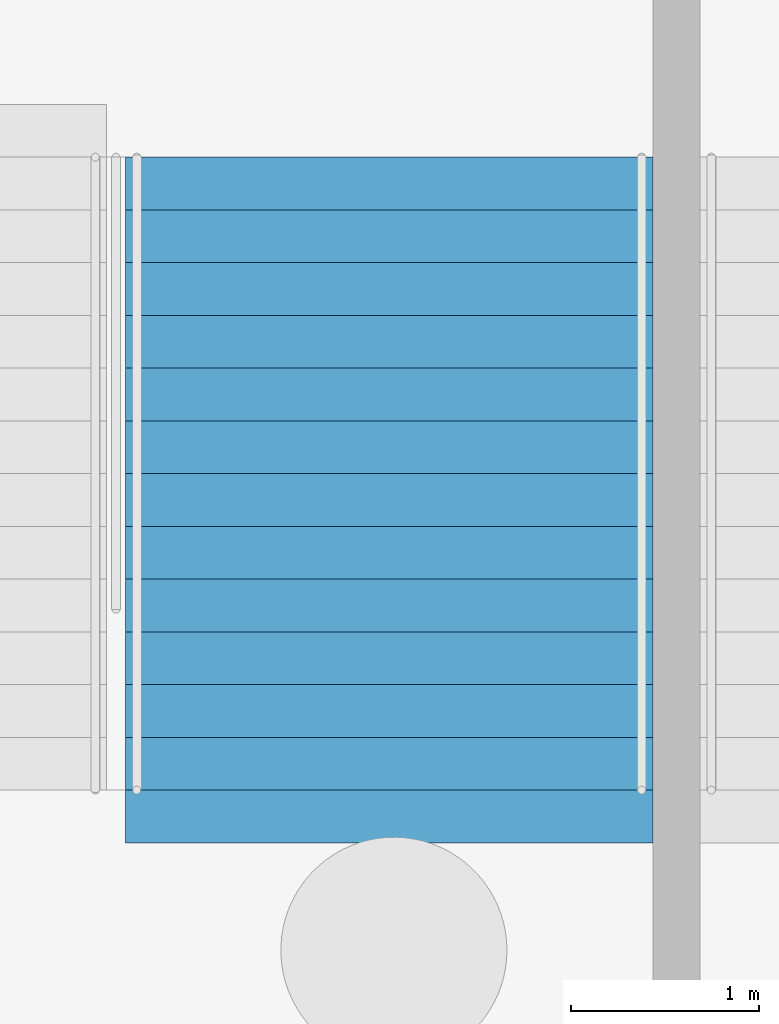
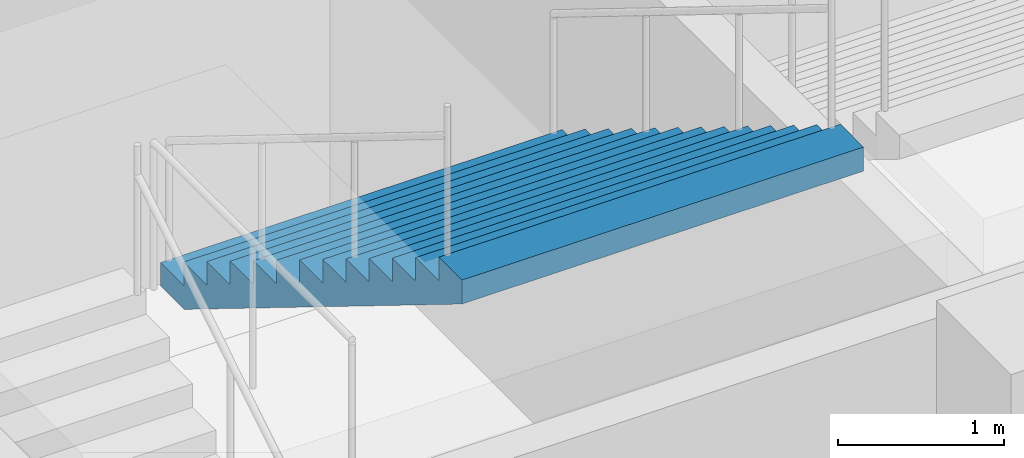
# One storey, part 103 of 115: 1 stair flight, 1 element without a shape of its own.
"""IFC4 building model written with IfcOpenShell, lengths in metres."""

from ifc_helpers import new_model, si_unit, direction, frame, origin, place, context, subcontext, project, spatial, faceted_brep, material, type_object, element, aggregate, save


model = new_model("IFC4")

# Units and contexts
model_context = context("Model", 3, precision=1e-05, world=origin(), true_north=direction((0.0, 1.0)))
body_context = subcontext(model_context, "Body", "Model", "MODEL_VIEW")
ifc_project = project(units=[si_unit("LENGTHUNIT", "METRE"), si_unit("AREAUNIT", "SQUARE_METRE"), si_unit("VOLUMEUNIT", "CUBIC_METRE"), si_unit("PLANEANGLEUNIT", "RADIAN"), si_unit("MASSUNIT", "GRAM", prefix="KILO")], contexts=[model_context])

# Site, building, storey
site_placement = place(None, origin())
site = spatial("IfcSite", under=ifc_project, at=site_placement, CompositionType="ELEMENT")
building_placement = place(site_placement, origin())
building = spatial("IfcBuilding", under=site, at=building_placement, Name="Ogive Plaza Stadium", CompositionType="ELEMENT")
storey_placement = place(building_placement, frame((0.0, 0.0, -4.5)))
storey = spatial("IfcBuildingStorey", under=building, at=storey_placement, Name="B1", CompositionType="ELEMENT", Elevation=-4.5)

# Stair, stair flight
ifc_material_1 = material(Name="Concrete C40/50", Category="concrete")
stair_type = type_object("IfcStairType", Name="Exit stair", PredefinedType="STRAIGHT_RUN_STAIR", material=ifc_material_1)
stair_placement = place(storey_placement, origin())
stair = element("IfcStair", 1, at=stair_placement, inside=storey, type_object=stair_type, Name="Exit stair ST36B B1 to L00", PredefinedType="STRAIGHT_RUN_STAIR")
ifc_material_2 = material(Name="Concrete C40/50", Category="concrete")
stair_flight_type = type_object("IfcStairFlightType", Name="Exit stair flight", PredefinedType="STRAIGHT", material=ifc_material_2)
stair_flight_placement = place(storey_placement, frame((18.875, 98.2099609375, 2.25), z_axis=(0.0, 0.0, 1.0), x_axis=(0.0, -1.0, 0.0)))
stair_flight = element("IfcStairFlight", 2, at=stair_flight_placement, type_object=stair_flight_type, Name="ST36B flight 2", NumberOfRisers=13, NumberOfTreads=12, PredefinedType="STRAIGHT", RiserHeight=0.173076923, TreadLength=0.28, context=body_context, shape_type="Brep", body=[
    faceted_brep([(0.28515625, -1.39990234375, 0.0), (3.639892578125, -1.39990234375, 2.07373046875), (3.639892578125, -1.39990234375, 2.25), (3.360107421875, -1.39990234375, 2.25), (3.360107421875, -1.39990234375, 2.076904296875), (3.080078125, -1.39990234375, 2.076904296875), (3.080078125, -1.39990234375, 1.90380859375), (2.800048828125, -1.39990234375, 1.90380859375), (2.800048828125, -1.39990234375, 1.730712890625), (2.52001953125, -1.39990234375, 1.730712890625), (2.52001953125, -1.39990234375, 1.5576171875), (2.239990234375, -1.39990234375, 1.5576171875), (2.239990234375, -1.39990234375, 1.384521484375), (1.9599609375, -1.39990234375, 1.384521484375), (1.9599609375, -1.39990234375, 1.21142578125), (1.679931640625, -1.39990234375, 1.21142578125), (1.679931640625, -1.39990234375, 1.03857421875), (1.39990234375, -1.39990234375, 1.03857421875), (1.39990234375, -1.39990234375, 0.865478515625), (1.1201171875, -1.39990234375, 0.865478515625), (1.1201171875, -1.39990234375, 0.6923828125), (0.840087890625, -1.39990234375, 0.6923828125), (0.840087890625, -1.39990234375, 0.519287109375), (0.56005859375, -1.39990234375, 0.519287109375), (0.56005859375, -1.39990234375, 0.34619140625), (0.280029296875, -1.39990234375, 0.34619140625), (0.280029296875, -1.39990234375, 0.173095703125), (0.0, -1.39990234375, 0.173095703125), (0.0, -1.39990234375, 0.0), (0.0, 1.39990234375, 0.0), (0.0, 1.39990234375, 0.173095703125), (0.280029296875, 1.39990234375, 0.173095703125), (0.280029296875, 1.39990234375, 0.34619140625), (0.56005859375, 1.39990234375, 0.34619140625), (0.56005859375, 1.39990234375, 0.519287109375), (0.840087890625, 1.39990234375, 0.519287109375), (0.840087890625, 1.39990234375, 0.6923828125), (1.1201171875, 1.39990234375, 0.6923828125), (1.1201171875, 1.39990234375, 0.865478515625), (1.39990234375, 1.39990234375, 0.865478515625), (1.39990234375, 1.39990234375, 1.03857421875), (1.679931640625, 1.39990234375, 1.03857421875), (1.679931640625, 1.39990234375, 1.21142578125), (1.9599609375, 1.39990234375, 1.21142578125), (1.9599609375, 1.39990234375, 1.384521484375), (2.239990234375, 1.39990234375, 1.384521484375), (2.239990234375, 1.39990234375, 1.5576171875), (2.52001953125, 1.39990234375, 1.5576171875), (2.52001953125, 1.39990234375, 1.730712890625), (2.800048828125, 1.39990234375, 1.730712890625), (2.800048828125, 1.39990234375, 1.90380859375), (3.080078125, 1.39990234375, 1.90380859375), (3.080078125, 1.39990234375, 2.076904296875), (3.360107421875, 1.39990234375, 2.076904296875), (3.360107421875, 1.39990234375, 2.25), (3.639892578125, 1.39990234375, 2.25), (3.639892578125, 1.39990234375, 2.07373046875), (0.28515625, 1.39990234375, 0.0), (0.28515625, -1.0888671875, 0.0), (3.639892578125, -1.0888671875, 2.07373046875), (0.28515625, -0.77783203125, 0.0), (3.639892578125, -0.77783203125, 2.07373046875), (0.28515625, -0.466796875, 0.0), (3.639892578125, -0.466796875, 2.07373046875), (0.28515625, -0.155517578125, 0.0), (3.639892578125, -0.155517578125, 2.07373046875), (0.28515625, 0.155517578125, 0.0), (3.639892578125, 0.155517578125, 2.07373046875), (0.28515625, 0.466796875, 0.0), (3.639892578125, 0.466796875, 2.07373046875), (0.28515625, 0.77783203125, 0.0), (3.639892578125, 0.77783203125, 2.07373046875), (0.28515625, 1.0888671875, 0.0), (3.639892578125, 1.0888671875, 2.07373046875), (3.639892578125, -1.0888671875, 2.25), (3.639892578125, -0.77783203125, 2.25), (3.639892578125, -0.466796875, 2.25), (3.639892578125, -0.155517578125, 2.25), (3.639892578125, 0.155517578125, 2.25), (3.639892578125, 0.466796875, 2.25), (3.639892578125, 0.77783203125, 2.25), (3.639892578125, 1.0888671875, 2.25), (3.360107421875, -1.0888671875, 2.25), (3.360107421875, -0.77783203125, 2.25), (3.360107421875, -0.466796875, 2.25), (3.360107421875, -0.155517578125, 2.25), (3.360107421875, 0.155517578125, 2.25), (3.360107421875, 0.466796875, 2.25), (3.360107421875, 0.77783203125, 2.25), (3.360107421875, 1.0888671875, 2.25), (3.360107421875, -1.0888671875, 2.076904296875), (3.360107421875, -0.77783203125, 2.076904296875), (3.360107421875, -0.466796875, 2.076904296875), (3.360107421875, -0.155517578125, 2.076904296875), (3.360107421875, 0.155517578125, 2.076904296875), (3.360107421875, 0.466796875, 2.076904296875), (3.360107421875, 0.77783203125, 2.076904296875), (3.360107421875, 1.0888671875, 2.076904296875), (3.080078125, -1.0888671875, 2.076904296875), (3.080078125, -0.77783203125, 2.076904296875), (3.080078125, -0.466796875, 2.076904296875), (3.080078125, -0.155517578125, 2.076904296875), (3.080078125, 0.155517578125, 2.076904296875), (3.080078125, 0.466796875, 2.076904296875), (3.080078125, 0.77783203125, 2.076904296875), (3.080078125, 1.0888671875, 2.076904296875), (3.080078125, -1.0888671875, 1.90380859375), (3.080078125, -0.77783203125, 1.90380859375), (3.080078125, -0.466796875, 1.90380859375), (3.080078125, -0.155517578125, 1.90380859375), (3.080078125, 0.155517578125, 1.90380859375), (3.080078125, 0.466796875, 1.90380859375), (3.080078125, 0.77783203125, 1.90380859375), (3.080078125, 1.0888671875, 1.90380859375), (2.800048828125, -1.0888671875, 1.90380859375), (2.800048828125, -0.77783203125, 1.90380859375), (2.800048828125, -0.466796875, 1.90380859375), (2.800048828125, -0.155517578125, 1.90380859375), (2.800048828125, 0.155517578125, 1.90380859375), (2.800048828125, 0.466796875, 1.90380859375), (2.800048828125, 0.77783203125, 1.90380859375), (2.800048828125, 1.0888671875, 1.90380859375), (2.800048828125, -1.0888671875, 1.730712890625), (2.800048828125, -0.77783203125, 1.730712890625), (2.800048828125, -0.466796875, 1.730712890625), (2.800048828125, -0.155517578125, 1.730712890625), (2.800048828125, 0.155517578125, 1.730712890625), (2.800048828125, 0.466796875, 1.730712890625), (2.800048828125, 0.77783203125, 1.730712890625), (2.800048828125, 1.0888671875, 1.730712890625), (2.52001953125, -1.0888671875, 1.730712890625), (2.52001953125, -0.77783203125, 1.730712890625), (2.52001953125, -0.466796875, 1.730712890625), (2.52001953125, -0.155517578125, 1.730712890625), (2.52001953125, 0.155517578125, 1.730712890625), (2.52001953125, 0.466796875, 1.730712890625), (2.52001953125, 0.77783203125, 1.730712890625), (2.52001953125, 1.0888671875, 1.730712890625), (2.52001953125, -1.0888671875, 1.5576171875), (2.52001953125, -0.77783203125, 1.5576171875), (2.52001953125, -0.466796875, 1.5576171875), (2.52001953125, -0.155517578125, 1.5576171875), (2.52001953125, 0.155517578125, 1.5576171875), (2.52001953125, 0.466796875, 1.5576171875), (2.52001953125, 0.77783203125, 1.5576171875), (2.52001953125, 1.0888671875, 1.5576171875), (2.239990234375, -1.0888671875, 1.5576171875), (2.239990234375, -0.77783203125, 1.5576171875), (2.239990234375, -0.466796875, 1.5576171875), (2.239990234375, -0.155517578125, 1.5576171875), (2.239990234375, 0.155517578125, 1.5576171875), (2.239990234375, 0.466796875, 1.5576171875), (2.239990234375, 0.77783203125, 1.5576171875), (2.239990234375, 1.0888671875, 1.5576171875), (2.239990234375, -1.0888671875, 1.384521484375), (2.239990234375, -0.77783203125, 1.384521484375), (2.239990234375, -0.466796875, 1.384521484375), (2.239990234375, -0.155517578125, 1.384521484375), (2.239990234375, 0.155517578125, 1.384521484375), (2.239990234375, 0.466796875, 1.384521484375), (2.239990234375, 0.77783203125, 1.384521484375), (2.239990234375, 1.0888671875, 1.384521484375), (1.9599609375, -1.0888671875, 1.384521484375), (1.9599609375, -0.77783203125, 1.384521484375), (1.9599609375, -0.466796875, 1.384521484375), (1.9599609375, -0.155517578125, 1.384521484375), (1.9599609375, 0.155517578125, 1.384521484375), (1.9599609375, 0.466796875, 1.384521484375), (1.9599609375, 0.77783203125, 1.384521484375), (1.9599609375, 1.0888671875, 1.384521484375), (1.9599609375, -1.0888671875, 1.21142578125), (1.9599609375, -0.77783203125, 1.21142578125), (1.9599609375, -0.466796875, 1.21142578125), (1.9599609375, -0.155517578125, 1.21142578125), (1.9599609375, 0.155517578125, 1.21142578125), (1.9599609375, 0.466796875, 1.21142578125), (1.9599609375, 0.77783203125, 1.21142578125), (1.9599609375, 1.0888671875, 1.21142578125), (1.679931640625, -1.0888671875, 1.21142578125), (1.679931640625, -0.77783203125, 1.21142578125), (1.679931640625, -0.466796875, 1.21142578125), (1.679931640625, -0.155517578125, 1.21142578125), (1.679931640625, 0.155517578125, 1.21142578125), (1.679931640625, 0.466796875, 1.21142578125), (1.679931640625, 0.77783203125, 1.21142578125), (1.679931640625, 1.0888671875, 1.21142578125), (1.679931640625, -1.0888671875, 1.03857421875), (1.679931640625, -0.77783203125, 1.03857421875), (1.679931640625, -0.466796875, 1.03857421875), (1.679931640625, -0.155517578125, 1.03857421875), (1.679931640625, 0.155517578125, 1.03857421875), (1.679931640625, 0.466796875, 1.03857421875), (1.679931640625, 0.77783203125, 1.03857421875), (1.679931640625, 1.0888671875, 1.03857421875), (1.39990234375, -1.0888671875, 1.03857421875), (1.39990234375, -0.77783203125, 1.03857421875), (1.39990234375, -0.466796875, 1.03857421875), (1.39990234375, -0.155517578125, 1.03857421875), (1.39990234375, 0.155517578125, 1.03857421875), (1.39990234375, 0.466796875, 1.03857421875), (1.39990234375, 0.77783203125, 1.03857421875), (1.39990234375, 1.0888671875, 1.03857421875), (1.39990234375, -1.0888671875, 0.865478515625), (1.39990234375, -0.77783203125, 0.865478515625), (1.39990234375, -0.466796875, 0.865478515625), (1.39990234375, -0.155517578125, 0.865478515625), (1.39990234375, 0.155517578125, 0.865478515625), (1.39990234375, 0.466796875, 0.865478515625), (1.39990234375, 0.77783203125, 0.865478515625), (1.39990234375, 1.0888671875, 0.865478515625), (1.1201171875, -1.0888671875, 0.865478515625), (1.1201171875, -0.77783203125, 0.865478515625), (1.1201171875, -0.466796875, 0.865478515625), (1.1201171875, -0.155517578125, 0.865478515625), (1.1201171875, 0.155517578125, 0.865478515625), (1.1201171875, 0.466796875, 0.865478515625), (1.1201171875, 0.77783203125, 0.865478515625), (1.1201171875, 1.0888671875, 0.865478515625), (1.1201171875, -1.0888671875, 0.6923828125), (1.1201171875, -0.77783203125, 0.6923828125), (1.1201171875, -0.466796875, 0.6923828125), (1.1201171875, -0.155517578125, 0.6923828125), (1.1201171875, 0.155517578125, 0.6923828125), (1.1201171875, 0.466796875, 0.6923828125), (1.1201171875, 0.77783203125, 0.6923828125), (1.1201171875, 1.0888671875, 0.6923828125), (0.840087890625, -1.0888671875, 0.6923828125), (0.840087890625, -0.77783203125, 0.6923828125), (0.840087890625, -0.466796875, 0.6923828125), (0.840087890625, -0.155517578125, 0.6923828125), (0.840087890625, 0.155517578125, 0.6923828125), (0.840087890625, 0.466796875, 0.6923828125), (0.840087890625, 0.77783203125, 0.6923828125), (0.840087890625, 1.0888671875, 0.6923828125), (0.840087890625, -1.0888671875, 0.519287109375), (0.840087890625, -0.77783203125, 0.519287109375), (0.840087890625, -0.466796875, 0.519287109375), (0.840087890625, -0.155517578125, 0.519287109375), (0.840087890625, 0.155517578125, 0.519287109375), (0.840087890625, 0.466796875, 0.519287109375), (0.840087890625, 0.77783203125, 0.519287109375), (0.840087890625, 1.0888671875, 0.519287109375), (0.56005859375, -1.0888671875, 0.519287109375), (0.56005859375, -0.77783203125, 0.519287109375), (0.56005859375, -0.466796875, 0.519287109375), (0.56005859375, -0.155517578125, 0.519287109375), (0.56005859375, 0.155517578125, 0.519287109375), (0.56005859375, 0.466796875, 0.519287109375), (0.56005859375, 0.77783203125, 0.519287109375), (0.56005859375, 1.0888671875, 0.519287109375), (0.56005859375, -1.0888671875, 0.34619140625), (0.56005859375, -0.77783203125, 0.34619140625), (0.56005859375, -0.466796875, 0.34619140625), (0.56005859375, -0.155517578125, 0.34619140625), (0.56005859375, 0.155517578125, 0.34619140625), (0.56005859375, 0.466796875, 0.34619140625), (0.56005859375, 0.77783203125, 0.34619140625), (0.56005859375, 1.0888671875, 0.34619140625), (0.280029296875, -1.0888671875, 0.34619140625), (0.280029296875, -0.77783203125, 0.34619140625), (0.280029296875, -0.466796875, 0.34619140625), (0.280029296875, -0.155517578125, 0.34619140625), (0.280029296875, 0.155517578125, 0.34619140625), (0.280029296875, 0.466796875, 0.34619140625), (0.280029296875, 0.77783203125, 0.34619140625), (0.280029296875, 1.0888671875, 0.34619140625), (0.280029296875, -1.0888671875, 0.173095703125), (0.280029296875, -0.77783203125, 0.173095703125), (0.280029296875, -0.466796875, 0.173095703125), (0.280029296875, -0.155517578125, 0.173095703125), (0.280029296875, 0.155517578125, 0.173095703125), (0.280029296875, 0.466796875, 0.173095703125), (0.280029296875, 0.77783203125, 0.173095703125), (0.280029296875, 1.0888671875, 0.173095703125), (0.0, -1.0888671875, 0.173095703125), (0.0, -0.77783203125, 0.173095703125), (0.0, -0.466796875, 0.173095703125), (0.0, -0.155517578125, 0.173095703125), (0.0, 0.155517578125, 0.173095703125), (0.0, 0.466796875, 0.173095703125), (0.0, 0.77783203125, 0.173095703125), (0.0, 1.0888671875, 0.173095703125), (0.0, -1.0888671875, 0.0), (0.0, -0.77783203125, 0.0), (0.0, -0.466796875, 0.0), (0.0, -0.155517578125, 0.0), (0.0, 0.155517578125, 0.0), (0.0, 0.466796875, 0.0), (0.0, 0.77783203125, 0.0), (0.0, 1.0888671875, 0.0)], [[[0, 1, 2, 3, 4, 5, 6, 7, 8, 9, 10, 11, 12, 13, 14, 15, 16, 17, 18, 19, 20, 21, 22, 23, 24, 25, 26, 27, 28]], [[29, 30, 31, 32, 33, 34, 35, 36, 37, 38, 39, 40, 41, 42, 43, 44, 45, 46, 47, 48, 49, 50, 51, 52, 53, 54, 55, 56, 57]], [[0, 58, 59, 1]], [[58, 60, 61, 59]], [[60, 62, 63, 61]], [[62, 64, 65, 63]], [[64, 66, 67, 65]], [[66, 68, 69, 67]], [[68, 70, 71, 69]], [[70, 72, 73, 71]], [[72, 57, 56, 73]], [[1, 59, 74, 2]], [[59, 61, 75, 74]], [[61, 63, 76, 75]], [[63, 65, 77, 76]], [[65, 67, 78, 77]], [[67, 69, 79, 78]], [[69, 71, 80, 79]], [[71, 73, 81, 80]], [[73, 56, 55, 81]], [[2, 74, 82, 3]], [[74, 75, 83, 82]], [[75, 76, 84, 83]], [[76, 77, 85, 84]], [[77, 78, 86, 85]], [[78, 79, 87, 86]], [[79, 80, 88, 87]], [[80, 81, 89, 88]], [[81, 55, 54, 89]], [[3, 82, 90, 4]], [[82, 83, 91, 90]], [[83, 84, 92, 91]], [[84, 85, 93, 92]], [[85, 86, 94, 93]], [[86, 87, 95, 94]], [[87, 88, 96, 95]], [[88, 89, 97, 96]], [[89, 54, 53, 97]], [[4, 90, 98, 5]], [[90, 91, 99, 98]], [[91, 92, 100, 99]], [[92, 93, 101, 100]], [[93, 94, 102, 101]], [[94, 95, 103, 102]], [[95, 96, 104, 103]], [[96, 97, 105, 104]], [[97, 53, 52, 105]], [[5, 98, 106, 6]], [[98, 99, 107, 106]], [[99, 100, 108, 107]], [[100, 101, 109, 108]], [[101, 102, 110, 109]], [[102, 103, 111, 110]], [[103, 104, 112, 111]], [[104, 105, 113, 112]], [[105, 52, 51, 113]], [[6, 106, 114, 7]], [[106, 107, 115, 114]], [[107, 108, 116, 115]], [[108, 109, 117, 116]], [[109, 110, 118, 117]], [[110, 111, 119, 118]], [[111, 112, 120, 119]], [[112, 113, 121, 120]], [[113, 51, 50, 121]], [[7, 114, 122, 8]], [[114, 115, 123, 122]], [[115, 116, 124, 123]], [[116, 117, 125, 124]], [[117, 118, 126, 125]], [[118, 119, 127, 126]], [[119, 120, 128, 127]], [[120, 121, 129, 128]], [[121, 50, 49, 129]], [[8, 122, 130, 9]], [[122, 123, 131, 130]], [[123, 124, 132, 131]], [[124, 125, 133, 132]], [[125, 126, 134, 133]], [[126, 127, 135, 134]], [[127, 128, 136, 135]], [[128, 129, 137, 136]], [[129, 49, 48, 137]], [[9, 130, 138, 10]], [[130, 131, 139, 138]], [[131, 132, 140, 139]], [[132, 133, 141, 140]], [[133, 134, 142, 141]], [[134, 135, 143, 142]], [[135, 136, 144, 143]], [[136, 137, 145, 144]], [[137, 48, 47, 145]], [[10, 138, 146, 11]], [[138, 139, 147, 146]], [[139, 140, 148, 147]], [[140, 141, 149, 148]], [[141, 142, 150, 149]], [[142, 143, 151, 150]], [[143, 144, 152, 151]], [[144, 145, 153, 152]], [[145, 47, 46, 153]], [[11, 146, 154, 12]], [[146, 147, 155, 154]], [[147, 148, 156, 155]], [[148, 149, 157, 156]], [[149, 150, 158, 157]], [[150, 151, 159, 158]], [[151, 152, 160, 159]], [[152, 153, 161, 160]], [[153, 46, 45, 161]], [[12, 154, 162, 13]], [[154, 155, 163, 162]], [[155, 156, 164, 163]], [[156, 157, 165, 164]], [[157, 158, 166, 165]], [[158, 159, 167, 166]], [[159, 160, 168, 167]], [[160, 161, 169, 168]], [[161, 45, 44, 169]], [[13, 162, 170, 14]], [[162, 163, 171, 170]], [[163, 164, 172, 171]], [[164, 165, 173, 172]], [[165, 166, 174, 173]], [[166, 167, 175, 174]], [[167, 168, 176, 175]], [[168, 169, 177, 176]], [[169, 44, 43, 177]], [[14, 170, 178, 15]], [[170, 171, 179, 178]], [[171, 172, 180, 179]], [[172, 173, 181, 180]], [[173, 174, 182, 181]], [[174, 175, 183, 182]], [[175, 176, 184, 183]], [[176, 177, 185, 184]], [[177, 43, 42, 185]], [[15, 178, 186, 16]], [[178, 179, 187, 186]], [[179, 180, 188, 187]], [[180, 181, 189, 188]], [[181, 182, 190, 189]], [[182, 183, 191, 190]], [[183, 184, 192, 191]], [[184, 185, 193, 192]], [[185, 42, 41, 193]], [[16, 186, 194, 17]], [[186, 187, 195, 194]], [[187, 188, 196, 195]], [[188, 189, 197, 196]], [[189, 190, 198, 197]], [[190, 191, 199, 198]], [[191, 192, 200, 199]], [[192, 193, 201, 200]], [[193, 41, 40, 201]], [[17, 194, 202, 18]], [[194, 195, 203, 202]], [[195, 196, 204, 203]], [[196, 197, 205, 204]], [[197, 198, 206, 205]], [[198, 199, 207, 206]], [[199, 200, 208, 207]], [[200, 201, 209, 208]], [[201, 40, 39, 209]], [[18, 202, 210, 19]], [[202, 203, 211, 210]], [[203, 204, 212, 211]], [[204, 205, 213, 212]], [[205, 206, 214, 213]], [[206, 207, 215, 214]], [[207, 208, 216, 215]], [[208, 209, 217, 216]], [[209, 39, 38, 217]], [[19, 210, 218, 20]], [[210, 211, 219, 218]], [[211, 212, 220, 219]], [[212, 213, 221, 220]], [[213, 214, 222, 221]], [[214, 215, 223, 222]], [[215, 216, 224, 223]], [[216, 217, 225, 224]], [[217, 38, 37, 225]], [[20, 218, 226, 21]], [[218, 219, 227, 226]], [[219, 220, 228, 227]], [[220, 221, 229, 228]], [[221, 222, 230, 229]], [[222, 223, 231, 230]], [[223, 224, 232, 231]], [[224, 225, 233, 232]], [[225, 37, 36, 233]], [[21, 226, 234, 22]], [[226, 227, 235, 234]], [[227, 228, 236, 235]], [[228, 229, 237, 236]], [[229, 230, 238, 237]], [[230, 231, 239, 238]], [[231, 232, 240, 239]], [[232, 233, 241, 240]], [[233, 36, 35, 241]], [[22, 234, 242, 23]], [[234, 235, 243, 242]], [[235, 236, 244, 243]], [[236, 237, 245, 244]], [[237, 238, 246, 245]], [[238, 239, 247, 246]], [[239, 240, 248, 247]], [[240, 241, 249, 248]], [[241, 35, 34, 249]], [[23, 242, 250, 24]], [[242, 243, 251, 250]], [[243, 244, 252, 251]], [[244, 245, 253, 252]], [[245, 246, 254, 253]], [[246, 247, 255, 254]], [[247, 248, 256, 255]], [[248, 249, 257, 256]], [[249, 34, 33, 257]], [[24, 250, 258, 25]], [[250, 251, 259, 258]], [[251, 252, 260, 259]], [[252, 253, 261, 260]], [[253, 254, 262, 261]], [[254, 255, 263, 262]], [[255, 256, 264, 263]], [[256, 257, 265, 264]], [[257, 33, 32, 265]], [[25, 258, 266, 26]], [[258, 259, 267, 266]], [[259, 260, 268, 267]], [[260, 261, 269, 268]], [[261, 262, 270, 269]], [[262, 263, 271, 270]], [[263, 264, 272, 271]], [[264, 265, 273, 272]], [[265, 32, 31, 273]], [[26, 266, 274, 27]], [[266, 267, 275, 274]], [[267, 268, 276, 275]], [[268, 269, 277, 276]], [[269, 270, 278, 277]], [[270, 271, 279, 278]], [[271, 272, 280, 279]], [[272, 273, 281, 280]], [[273, 31, 30, 281]], [[27, 274, 282, 28]], [[274, 275, 283, 282]], [[275, 276, 284, 283]], [[276, 277, 285, 284]], [[277, 278, 286, 285]], [[278, 279, 287, 286]], [[279, 280, 288, 287]], [[280, 281, 289, 288]], [[281, 30, 29, 289]], [[28, 282, 58, 0]], [[282, 283, 60, 58]], [[283, 284, 62, 60]], [[284, 285, 64, 62]], [[285, 286, 66, 64]], [[286, 287, 68, 66]], [[287, 288, 70, 68]], [[288, 289, 72, 70]], [[289, 29, 57, 72]]]),
])
aggregate(stair, [stair_flight])

save(model, "model.ifc")
